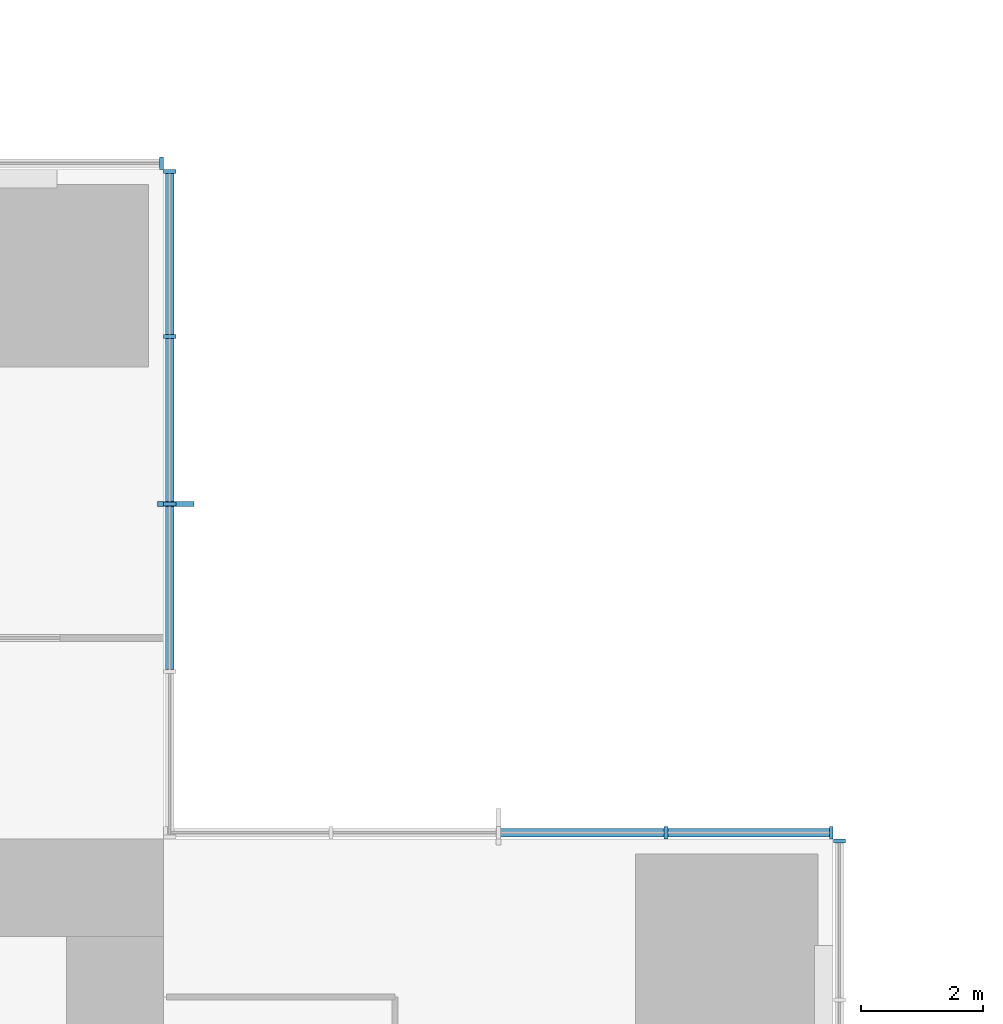
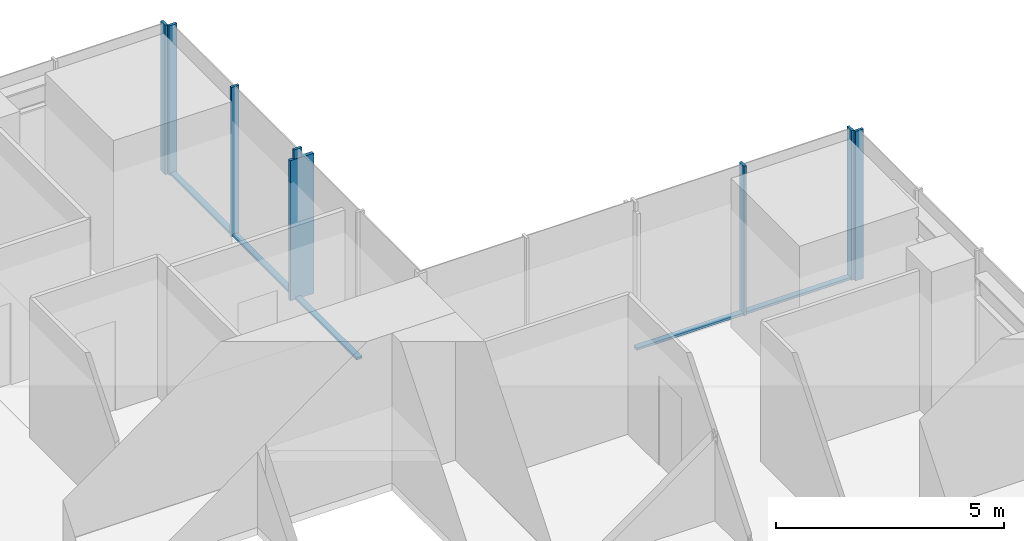
# One storey, part 6 of 13: 13 members, 4 elements without a shape of their own.
"""IFC4 building model written with IfcOpenShell, lengths in metres."""

from ifc_helpers import new_model, si_unit, direction, frame, origin, origin_2d, place, context, subcontext, project, spatial, rectangle, extrude, material, material_profile, profile_set, type_object, element, aggregate, save


model = new_model("IFC4")

# Units and contexts
model_context = context("Model", 3, precision=1e-05, world=origin(), true_north=direction((0.0, 1.0)))
body_context = subcontext(model_context, "Body", "Model", "MODEL_VIEW")
ifc_project = project(units=[si_unit("LENGTHUNIT", "METRE"), si_unit("AREAUNIT", "SQUARE_METRE"), si_unit("VOLUMEUNIT", "CUBIC_METRE"), si_unit("PLANEANGLEUNIT", "RADIAN"), si_unit("MASSUNIT", "GRAM", prefix="KILO")], contexts=[model_context])

# Site, building, storey
site_placement = place(None, origin())
site = spatial("IfcSite", under=ifc_project, at=site_placement, CompositionType="ELEMENT")
building_placement = place(site_placement, origin())
building = spatial("IfcBuilding", under=site, at=building_placement, Name="Svetlomir Tower", CompositionType="ELEMENT")
storey_placement = place(building_placement, frame((0.0, 0.0, 152.5)))
storey = spatial("IfcBuildingStorey", under=building, at=storey_placement, Name="L36", CompositionType="ELEMENT", Elevation=152.5)

# Curtain wall, member
ifc_material_1 = material(Name="Bronze anodised aluminium curtain wall", Category="aluminium")
curtain_wall_type = type_object("IfcCurtainWallType", Name="CURTAIN WALL CW1 TOWER OFFICE", PredefinedType="NOTDEFINED", material=ifc_material_1)
curtain_wall_1_placement = place(storey_placement, origin())
curtain_wall_1 = element("IfcCurtainWall", 1, at=curtain_wall_1_placement, inside=storey, type_object=curtain_wall_type, Name="Curtain wall CW1 L36", PredefinedType="NOTDEFINED")
ifc_material_2 = material(Name="Bronze anodised aluminium", Category="aluminium")
ifc_material_profile_1 = material_profile(ifc_material_2, rectangle(XDim=0.080078125, YDim=0.60009765625, at=origin_2d()), Name="FIN 80x600")
ifc_profile_set_1 = profile_set([ifc_material_profile_1], Name="Bronze anodised aluminium 6063-T6")
member_type_1 = type_object("IfcMemberType", Name="BRONZE FIN 80x600", PredefinedType="USERDEFINED", material=ifc_profile_set_1)
member_1_placement = place(storey_placement, frame((31.199951171875, 36.5, 0.0), z_axis=(0.0, 0.0, 1.0), x_axis=(0.0, 1.0, 0.0)))
member_1 = element("IfcMember", 2, at=member_1_placement, type_object=member_type_1, Name="Bronze fin L36", ObjectType="FIN", PredefinedType="USERDEFINED", context=body_context, shape_type="SweptSolid", body=[
    extrude(rectangle(XDim=0.080078125, YDim=0.60009765625, at=origin_2d()), origin(), (0.0, 0.0, 1.0), 3.75),
])

curtain_wall_2_placement = place(storey_placement, origin())
curtain_wall_2 = element("IfcCurtainWall", 3, at=curtain_wall_2_placement, inside=storey, type_object=curtain_wall_type, Name="Curtain wall CW1 L36", PredefinedType="NOTDEFINED")
ifc_material_3 = material(Name="Bronze anodised aluminium", Category="aluminium")
ifc_material_profile_2 = material_profile(ifc_material_3, rectangle(XDim=0.06494140625, YDim=0.199951171875, at=origin_2d()), Name="AL 65x200")
ifc_profile_set_2 = profile_set([ifc_material_profile_2], Name="Bronze anodised aluminium 6063-T6")
member_type_2 = type_object("IfcMemberType", Name="CW1 MULLION 65x200", PredefinedType="MULLION", material=ifc_profile_set_2)
member_2_placement = place(storey_placement, frame((42.10009765625, 30.967529296875, 0.0), z_axis=(0.0, 0.0, 1.0), x_axis=(0.0, 1.0, 0.0)))
member_2 = element("IfcMember", 4, at=member_2_placement, type_object=member_type_2, Name="CW1 mullion 5", PredefinedType="MULLION", context=body_context, shape_type="SweptSolid", body=[
    extrude(rectangle(XDim=0.06494140625, YDim=0.199951171875, at=origin_2d()), origin(), (0.0, 0.0, 1.0), 4.0),
])
aggregate(curtain_wall_2, [member_2])

# Curtain wall, members
curtain_wall_3_placement = place(storey_placement, origin())
curtain_wall_3 = element("IfcCurtainWall", 5, at=curtain_wall_3_placement, inside=storey, type_object=curtain_wall_type, Name="Curtain wall CW1 L36", PredefinedType="NOTDEFINED")
member_3_placement = place(storey_placement, frame((41.967529296875, 31.10009765625, 0.0), z_axis=(0.0, 0.0, 1.0), x_axis=(-1.0, 0.0, 0.0)))
member_3 = element("IfcMember", 6, at=member_3_placement, type_object=member_type_2, Name="CW1 mullion 1", PredefinedType="MULLION", context=body_context, shape_type="SweptSolid", body=[
    extrude(rectangle(XDim=0.06494140625, YDim=0.199951171875, at=origin_2d()), origin(), (0.0, 0.0, 1.0), 4.0),
])
member_4_placement = place(storey_placement, frame((39.25, 31.10009765625, 0.0), z_axis=(0.0, 0.0, 1.0), x_axis=(-1.0, 0.0, 0.0)))
member_4 = element("IfcMember", 7, at=member_4_placement, type_object=member_type_2, Name="CW1 mullion 2", PredefinedType="MULLION", context=body_context, shape_type="SweptSolid", body=[
    extrude(rectangle(XDim=0.06494140625, YDim=0.199951171875, at=origin_2d()), origin(), (0.0, 0.0, 1.0), 4.0),
])

# Member
member_5_placement = place(storey_placement, frame((31.10009765625, 36.5, 0.0), z_axis=(0.0, 0.0, 1.0), x_axis=(0.0, 1.0, 0.0)))
member_5 = element("IfcMember", 8, at=member_5_placement, type_object=member_type_2, Name="CW1 mullion 3", PredefinedType="MULLION", context=body_context, shape_type="SweptSolid", body=[
    extrude(rectangle(XDim=0.06494140625, YDim=0.199951171875, at=origin_2d()), origin(), (0.0, 0.0, 1.0), 4.0),
])

member_6_placement = place(storey_placement, frame((31.10009765625, 39.25, 0.0), z_axis=(0.0, 0.0, 1.0), x_axis=(0.0, 1.0, 0.0)))
member_6 = element("IfcMember", 9, at=member_6_placement, type_object=member_type_2, Name="CW1 mullion 4", PredefinedType="MULLION", context=body_context, shape_type="SweptSolid", body=[
    extrude(rectangle(XDim=0.06494140625, YDim=0.199951171875, at=origin_2d()), origin(), (0.0, 0.0, 1.0), 4.0),
])

member_7_placement = place(storey_placement, frame((31.10009765625, 41.967529296875, 0.0), z_axis=(0.0, 0.0, 1.0), x_axis=(0.0, 1.0, 0.0)))
member_7 = element("IfcMember", 10, at=member_7_placement, type_object=member_type_2, Name="CW1 mullion 5", PredefinedType="MULLION", context=body_context, shape_type="SweptSolid", body=[
    extrude(rectangle(XDim=0.06494140625, YDim=0.199951171875, at=origin_2d()), origin(), (0.0, 0.0, 1.0), 4.0),
])

# Curtain wall, member
curtain_wall_4_placement = place(storey_placement, origin())
curtain_wall_4 = element("IfcCurtainWall", 11, at=curtain_wall_4_placement, inside=storey, type_object=curtain_wall_type, Name="Curtain wall CW1 L36", PredefinedType="NOTDEFINED")
member_8_placement = place(storey_placement, frame((30.967529296875, 42.10009765625, 0.0), z_axis=(0.0, 0.0, 1.0), x_axis=(-1.0, 0.0, 0.0)))
member_8 = element("IfcMember", 12, at=member_8_placement, type_object=member_type_2, Name="CW1 mullion 1", PredefinedType="MULLION", context=body_context, shape_type="SweptSolid", body=[
    extrude(rectangle(XDim=0.06494140625, YDim=0.199951171875, at=origin_2d()), origin(), (0.0, 0.0, 1.0), 4.0),
])
aggregate(curtain_wall_4, [member_8])

# Member
ifc_material_4 = material(Name="Bronze anodised aluminium", Category="aluminium")
ifc_material_profile_3 = material_profile(ifc_material_4, rectangle(XDim=0.139892578125, YDim=0.06494140625, at=origin_2d()), Name="AL 140x65")
ifc_profile_set_3 = profile_set([ifc_material_profile_3], Name="Bronze anodised aluminium 6063-T6")
member_type_3 = type_object("IfcMemberType", Name="CW1 TRANSOM 65x140", PredefinedType="USERDEFINED", material=ifc_profile_set_3)
member_9_placement = place(storey_placement, frame((41.93505859375, 31.10009765625, 0.032470703125), z_axis=(-1.0, 0.0, 0.0), x_axis=(0.0, -1.0, 0.0)))
member_9 = element("IfcMember", 13, at=member_9_placement, type_object=member_type_3, Name="CW1 transom 1.1", ObjectType="TRANSOM", PredefinedType="USERDEFINED", context=body_context, shape_type="SweptSolid", body=[
    extrude(rectangle(XDim=0.139892578125, YDim=0.06494140625, at=origin_2d()), origin(), (0.0, 0.0, 1.0), 2.652587890625),
])

member_10_placement = place(storey_placement, frame((39.217529296875, 31.10009765625, 0.032470703125), z_axis=(-1.0, 0.0, 0.0), x_axis=(0.0, -1.0, 0.0)))
member_10 = element("IfcMember", 14, at=member_10_placement, type_object=member_type_3, Name="CW1 transom 2.1", ObjectType="TRANSOM", PredefinedType="USERDEFINED", context=body_context, shape_type="SweptSolid", body=[
    extrude(rectangle(XDim=0.139892578125, YDim=0.06494140625, at=origin_2d()), origin(), (0.0, 0.0, 1.0), 2.68505859375),
])

aggregate(curtain_wall_3, [member_3, member_4, member_9, member_10])

member_11_placement = place(storey_placement, frame((31.10009765625, 33.782470703125, 0.032470703125), z_axis=(0.0, 1.0, 0.0), x_axis=(-1.0, 0.0, 0.0)))
member_11 = element("IfcMember", 15, at=member_11_placement, type_object=member_type_3, Name="CW1 transom 2.1", ObjectType="TRANSOM", PredefinedType="USERDEFINED", context=body_context, shape_type="SweptSolid", body=[
    extrude(rectangle(XDim=0.139892578125, YDim=0.06494140625, at=origin_2d()), origin(), (0.0, 0.0, 1.0), 2.68505859375),
])

member_12_placement = place(storey_placement, frame((31.10009765625, 36.532470703125, 0.032470703125), z_axis=(0.0, 1.0, 0.0), x_axis=(-1.0, 0.0, 0.0)))
member_12 = element("IfcMember", 16, at=member_12_placement, type_object=member_type_3, Name="CW1 transom 3.1", ObjectType="TRANSOM", PredefinedType="USERDEFINED", context=body_context, shape_type="SweptSolid", body=[
    extrude(rectangle(XDim=0.139892578125, YDim=0.06494140625, at=origin_2d()), origin(), (0.0, 0.0, 1.0), 2.68505859375),
])

member_13_placement = place(storey_placement, frame((31.10009765625, 39.282470703125, 0.032470703125), z_axis=(0.0, 1.0, 0.0), x_axis=(-1.0, 0.0, 0.0)))
member_13 = element("IfcMember", 17, at=member_13_placement, type_object=member_type_3, Name="CW1 transom 4.1", ObjectType="TRANSOM", PredefinedType="USERDEFINED", context=body_context, shape_type="SweptSolid", body=[
    extrude(rectangle(XDim=0.139892578125, YDim=0.06494140625, at=origin_2d()), origin(), (0.0, 0.0, 1.0), 2.652587890625),
])

aggregate(curtain_wall_1, [member_5, member_6, member_7, member_11, member_12, member_13, member_1])

save(model, "model.ifc")
